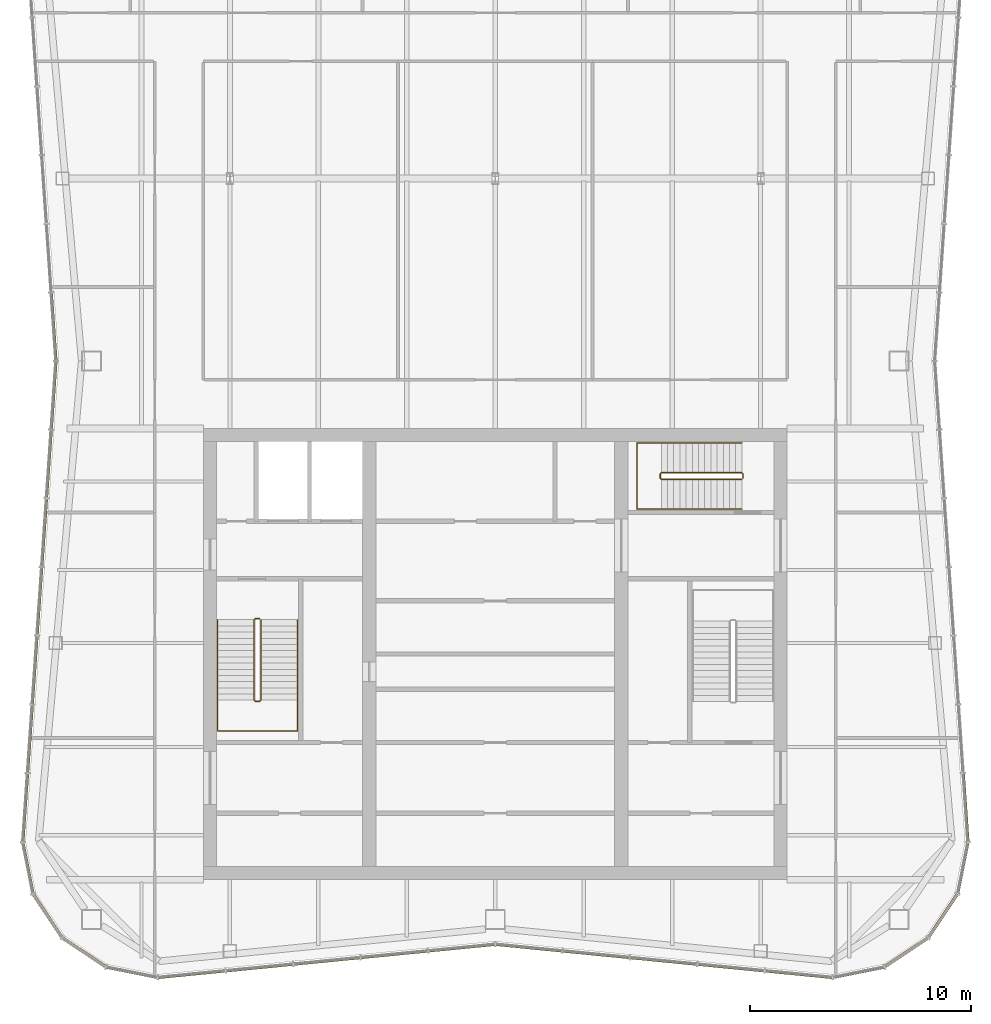
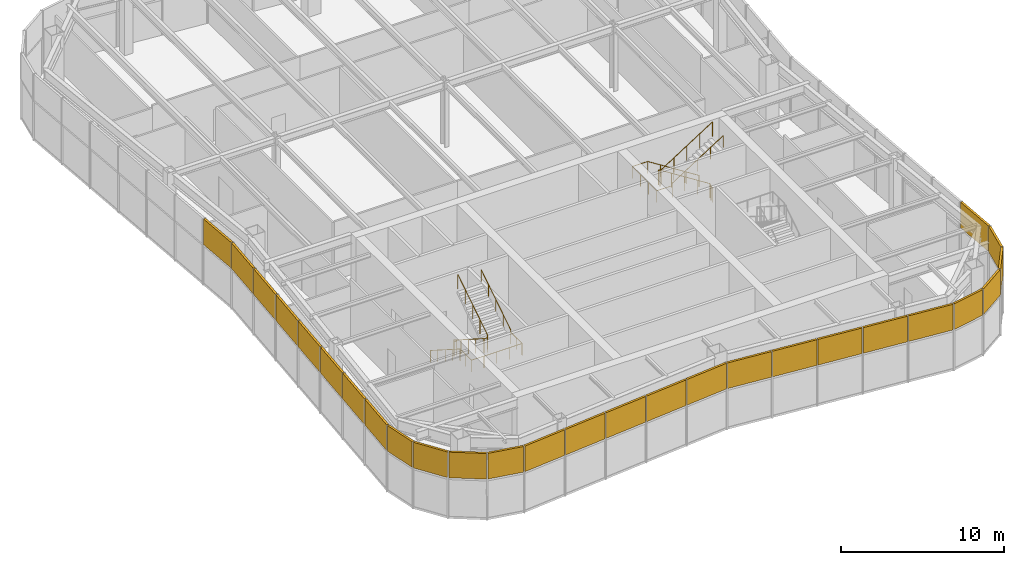
# One storey, part 12 of 13: 27 shading devices, 4 railings, 5 elements without a shape of their own.
"""IFC4 building model written with IfcOpenShell, lengths in metres."""

from ifc_helpers import new_model, si_unit, direction, frame, origin, origin_2d, place, context, subcontext, project, spatial, rectangle, circle, extrude, material, layer, layer_set, type_object, element, aggregate, save


model = new_model("IFC4")

# Units and contexts
model_context = context("Model", 3, precision=1e-05, world=origin(), true_north=direction((0.0, 1.0)))
body_context = subcontext(model_context, "Body", "Model", "MODEL_VIEW")
ifc_project = project(units=[si_unit("LENGTHUNIT", "METRE"), si_unit("AREAUNIT", "SQUARE_METRE"), si_unit("VOLUMEUNIT", "CUBIC_METRE"), si_unit("PLANEANGLEUNIT", "RADIAN"), si_unit("MASSUNIT", "GRAM", prefix="KILO")], contexts=[model_context])

# Site, building, storey
site_placement = place(None, origin())
site = spatial("IfcSite", under=ifc_project, at=site_placement, CompositionType="ELEMENT")
building_placement = place(site_placement, origin())
building = spatial("IfcBuilding", under=site, at=building_placement, Name="Verdant Reach Tower", CompositionType="ELEMENT")
storey_placement = place(building_placement, frame((0.0, 0.0, 354.5)))
storey = spatial("IfcBuildingStorey", under=building, at=storey_placement, Name="L80 Plant", CompositionType="ELEMENT", Elevation=354.5)

# Railings
ifc_material_1 = material(Name="Stainless steel", Category="steel")
railing_type_1 = type_object("IfcRailingType", Name="CO-GUARD", PredefinedType="GUARDRAIL", material=ifc_material_1)
railing_1_placement = place(storey_placement, frame((-10.64990234375, 29.60009765625, 0.0)))
element("IfcRailing", 1, at=railing_1_placement, inside=storey, type_object=railing_type_1, Name="L80 Plant ST-1 stair guard 1", PredefinedType="GUARDRAIL", context=body_context, shape_type="SweptSolid", body=[
    extrude(circle(Radius=0.02392578125, at=origin_2d()), frame((0.0, 0.0, 1.076171875), z_axis=(-1.0, 0.0, 0.0), x_axis=(0.0, -1.0, 0.0)), (0.0, 0.0, 1.0), 0.2001953125),
    extrude(circle(Radius=0.02392578125, at=origin_2d()), frame((-0.2001953125, 0.0, 1.076171875), z_axis=(-0.25949872427, -0.26077077684, 0.929870428634), x_axis=(0.708833529934, -0.705375805398, 0.0)), (0.0, 0.0, 1.0), 0.19189453125),
    extrude(circle(Radius=0.02392578125, at=origin_2d()), frame((-0.25, -0.050048828125, 1.25439453125), z_axis=(0.0, -0.843127859045, 0.537713132908), x_axis=(1.0, 0.0, 0.0)), (0.0, 0.0, 1.0), 4.3173828125),
    extrude(circle(Radius=0.02392578125, at=origin_2d()), frame((-0.25, -3.690185546875, 3.576171875), z_axis=(0.707106781187, -0.707106781187, 0.0), x_axis=(0.707106781187, 0.707106781187, 0.0)), (0.0, 0.0, 1.0), 0.0703125),
    extrude(circle(Radius=0.02392578125, at=origin_2d()), frame((-0.2001953125, -3.739990234375, 3.576171875), z_axis=(1.0, 0.0, 0.0), x_axis=(0.0, 1.0, 0.0)), (0.0, 0.0, 1.0), 0.2001953125),
    extrude(circle(Radius=0.02392578125, at=origin_2d()), frame((0.0, -3.739990234375, 3.576171875), z_axis=(0.259584636361, 0.259584636361, 0.930178280294), x_axis=(-0.707106781187, 0.707106781187, 0.0)), (0.0, 0.0, 1.0), 0.19189453125),
    extrude(circle(Radius=0.02392578125, at=origin_2d()), frame((0.0498046875, -3.690185546875, 3.75439453125), z_axis=(0.0, 0.843127859045, 0.537713132908), x_axis=(-1.0, 0.0, 0.0)), (0.0, 0.0, 1.0), 4.3173828125),
    extrude(circle(Radius=0.02099609375, at=origin_2d()), origin(), (0.0, 0.0, 1.0), 1.052001953125),
    extrude(circle(Radius=0.02099609375, at=origin_2d()), frame((-0.2001953125, 0.0, 0.0)), (0.0, 0.0, 1.0), 1.052001953125),
    extrude(circle(Radius=0.02099609375, at=origin_2d()), frame((-0.25, -0.050048828125, 0.178466796875)), (0.0, 0.0, 1.0), 1.052001953125),
    extrude(circle(Radius=0.02099609375, at=origin_2d()), frame((-0.25, -0.9599609375, 0.7587890625)), (0.0, 0.0, 1.0), 1.052001953125),
    extrude(circle(Radius=0.02099609375, at=origin_2d()), frame((-0.25, -1.8701171875, 1.33935546875)), (0.0, 0.0, 1.0), 1.052001953125),
    extrude(circle(Radius=0.02099609375, at=origin_2d()), frame((-0.25, -2.7802734375, 1.919677734375)), (0.0, 0.0, 1.0), 1.052001953125),
    extrude(circle(Radius=0.02099609375, at=origin_2d()), frame((-0.25, -3.690185546875, 2.5)), (0.0, 0.0, 1.0), 1.052001953125),
    extrude(circle(Radius=0.02099609375, at=origin_2d()), frame((-0.2001953125, -3.739990234375, 2.5)), (0.0, 0.0, 1.0), 1.052001953125),
    extrude(circle(Radius=0.02099609375, at=origin_2d()), frame((0.0, -3.739990234375, 2.5)), (0.0, 0.0, 1.0), 1.052001953125),
    extrude(circle(Radius=0.02099609375, at=origin_2d()), frame((0.0498046875, -3.690185546875, 2.678466796875)), (0.0, 0.0, 1.0), 1.052001953125),
    extrude(circle(Radius=0.02099609375, at=origin_2d()), frame((0.0498046875, -2.7802734375, 3.2587890625)), (0.0, 0.0, 1.0), 1.052001953125),
    extrude(circle(Radius=0.02099609375, at=origin_2d()), frame((0.0498046875, -1.8701171875, 3.83935546875)), (0.0, 0.0, 1.0), 1.052001953125),
    extrude(circle(Radius=0.02099609375, at=origin_2d()), frame((0.0498046875, -0.9599609375, 4.419677734375)), (0.0, 0.0, 1.0), 1.052001953125),
    extrude(circle(Radius=0.02099609375, at=origin_2d()), frame((0.0498046875, -0.050048828125, 5.0)), (0.0, 0.0, 1.0), 1.052001953125),
])
railing_2_placement = place(storey_placement, frame((11.199951171875, 35.949951171875, 0.0)))
element("IfcRailing", 2, at=railing_2_placement, inside=storey, type_object=railing_type_1, Name="L80 Plant ST-3 stair guard 1", PredefinedType="GUARDRAIL", context=body_context, shape_type="SweptSolid", body=[
    extrude(circle(Radius=0.02392578125, at=origin_2d()), frame((0.0, 0.0, 1.076171875), z_axis=(0.0, 1.0, 0.0), x_axis=(-1.0, 0.0, 0.0)), (0.0, 0.0, 1.0), 0.199951171875),
    extrude(circle(Radius=0.02392578125, at=origin_2d()), frame((0.0, 0.199951171875, 1.076171875), z_axis=(-0.260684529273, 0.260684529273, 0.929562882432), x_axis=(-0.707106781187, -0.707106781187, 0.0)), (0.0, 0.0, 1.0), 0.19189453125),
    extrude(circle(Radius=0.02392578125, at=origin_2d()), frame((-0.050048828125, 0.25, 1.25439453125), z_axis=(-0.843111507901, 0.0, 0.53773877045), x_axis=(0.0, -1.0, 0.0)), (0.0, 0.0, 1.0), 4.317138671875),
    extrude(circle(Radius=0.02392578125, at=origin_2d()), frame((-3.68994140625, 0.25, 3.576171875), z_axis=(-0.707106781187, -0.707106781187, 0.0), x_axis=(0.707106781187, -0.707106781187, 0.0)), (0.0, 0.0, 1.0), 0.07080078125),
    extrude(circle(Radius=0.02392578125, at=origin_2d()), frame((-3.739990234375, 0.199951171875, 3.576171875), z_axis=(0.0, -1.0, 0.0), x_axis=(1.0, 0.0, 0.0)), (0.0, 0.0, 1.0), 0.199951171875),
    extrude(circle(Radius=0.02392578125, at=origin_2d()), frame((-3.739990234375, 0.0, 3.576171875), z_axis=(0.260684529273, -0.260684529273, 0.929562882432), x_axis=(0.707106781187, 0.707106781187, 0.0)), (0.0, 0.0, 1.0), 0.19189453125),
    extrude(circle(Radius=0.02392578125, at=origin_2d()), frame((-3.68994140625, -0.050048828125, 3.75439453125), z_axis=(0.843111507901, 0.0, 0.53773877045), x_axis=(0.0, 1.0, 0.0)), (0.0, 0.0, 1.0), 4.317138671875),
    extrude(circle(Radius=0.02099609375, at=origin_2d()), origin(), (0.0, 0.0, 1.0), 1.052001953125),
    extrude(circle(Radius=0.02099609375, at=origin_2d()), frame((0.0, 0.199951171875, 0.0)), (0.0, 0.0, 1.0), 1.052001953125),
    extrude(circle(Radius=0.02099609375, at=origin_2d()), frame((-0.050048828125, 0.25, 0.178466796875)), (0.0, 0.0, 1.0), 1.052001953125),
    extrude(circle(Radius=0.02099609375, at=origin_2d()), frame((-0.9599609375, 0.25, 0.7587890625)), (0.0, 0.0, 1.0), 1.052001953125),
    extrude(circle(Radius=0.02099609375, at=origin_2d()), frame((-1.8701171875, 0.25, 1.33935546875)), (0.0, 0.0, 1.0), 1.052001953125),
    extrude(circle(Radius=0.02099609375, at=origin_2d()), frame((-2.780029296875, 0.25, 1.919677734375)), (0.0, 0.0, 1.0), 1.052001953125),
    extrude(circle(Radius=0.02099609375, at=origin_2d()), frame((-3.68994140625, 0.25, 2.5)), (0.0, 0.0, 1.0), 1.052001953125),
    extrude(circle(Radius=0.02099609375, at=origin_2d()), frame((-3.739990234375, 0.199951171875, 2.5)), (0.0, 0.0, 1.0), 1.052001953125),
    extrude(circle(Radius=0.02099609375, at=origin_2d()), frame((-3.739990234375, 0.0, 2.5)), (0.0, 0.0, 1.0), 1.052001953125),
    extrude(circle(Radius=0.02099609375, at=origin_2d()), frame((-3.68994140625, -0.050048828125, 2.678466796875)), (0.0, 0.0, 1.0), 1.052001953125),
    extrude(circle(Radius=0.02099609375, at=origin_2d()), frame((-2.780029296875, -0.050048828125, 3.2587890625)), (0.0, 0.0, 1.0), 1.052001953125),
    extrude(circle(Radius=0.02099609375, at=origin_2d()), frame((-1.8701171875, -0.050048828125, 3.83935546875)), (0.0, 0.0, 1.0), 1.052001953125),
    extrude(circle(Radius=0.02099609375, at=origin_2d()), frame((-0.9599609375, -0.050048828125, 4.419677734375)), (0.0, 0.0, 1.0), 1.052001953125),
    extrude(circle(Radius=0.02099609375, at=origin_2d()), frame((-0.050048828125, -0.050048828125, 5.0)), (0.0, 0.0, 1.0), 1.052001953125),
])
railing_type_2 = type_object("IfcRailingType", Name="CO-HANDRAIL", PredefinedType="HANDRAIL", material=ifc_material_1)
railing_3_placement = place(storey_placement, frame((-12.550048828125, 29.550048828125, 0.178466796875)))
element("IfcRailing", 3, at=railing_3_placement, inside=storey, type_object=railing_type_2, Name="L80 Plant ST-1 stair handrail 1", PredefinedType="HANDRAIL", context=body_context, shape_type="SweptSolid", body=[
    extrude(circle(Radius=0.02392578125, at=origin_2d()), frame((0.0, 0.0, 0.8759765625), z_axis=(0.0, -0.843127859045, 0.537713132908), x_axis=(1.0, 0.0, 0.0)), (0.0, 0.0, 1.0), 4.3173828125),
    extrude(circle(Radius=0.02392578125, at=origin_2d()), frame((0.0, -3.64013671875, 3.197265625), z_axis=(0.0, -1.0, 0.0), x_axis=(1.0, 0.0, 0.0)), (0.0, 0.0, 1.0), 1.39990234375),
    extrude(circle(Radius=0.02392578125, at=origin_2d()), frame((0.0, -5.0400390625, 3.197265625), z_axis=(1.0, 0.0, 0.0), x_axis=(0.0, 1.0, 0.0)), (0.0, 0.0, 1.0), 3.60009765625),
    extrude(circle(Radius=0.02392578125, at=origin_2d()), frame((3.60009765625, -5.0400390625, 3.197265625), z_axis=(0.0, 1.0, 0.0), x_axis=(-1.0, 0.0, 0.0)), (0.0, 0.0, 1.0), 1.39990234375),
    extrude(circle(Radius=0.02392578125, at=origin_2d()), frame((3.60009765625, -3.64013671875, 3.197265625), z_axis=(0.0, 0.0, 1.0), x_axis=(1.0, 0.0, 0.0)), (0.0, 0.0, 1.0), 0.178466796875),
    extrude(circle(Radius=0.02392578125, at=origin_2d()), frame((3.60009765625, -3.64013671875, 3.3759765625), z_axis=(0.0, 0.843127859045, 0.537713132908), x_axis=(-1.0, 0.0, 0.0)), (0.0, 0.0, 1.0), 4.3173828125),
    extrude(circle(Radius=0.02099609375, at=origin_2d()), origin(), (0.0, 0.0, 1.0), 0.851806640625),
    extrude(circle(Radius=0.02099609375, at=origin_2d()), frame((0.0, -0.91015625, 0.580322265625)), (0.0, 0.0, 1.0), 0.851806640625),
    extrude(circle(Radius=0.02099609375, at=origin_2d()), frame((0.0, -1.820068359375, 1.16064453125)), (0.0, 0.0, 1.0), 0.851806640625),
    extrude(circle(Radius=0.02099609375, at=origin_2d()), frame((0.0, -2.72998046875, 1.7412109375)), (0.0, 0.0, 1.0), 0.851806640625),
    extrude(circle(Radius=0.02099609375, at=origin_2d()), frame((0.0, -3.64013671875, 2.321533203125)), (0.0, 0.0, 1.0), 0.851806640625),
    extrude(circle(Radius=0.02099609375, at=origin_2d()), frame((0.0, -4.340087890625, 2.321533203125)), (0.0, 0.0, 1.0), 0.851806640625),
    extrude(circle(Radius=0.02099609375, at=origin_2d()), frame((0.0, -5.0400390625, 2.321533203125)), (0.0, 0.0, 1.0), 0.851806640625),
    extrude(circle(Radius=0.02099609375, at=origin_2d()), frame((0.89990234375, -5.0400390625, 2.321533203125)), (0.0, 0.0, 1.0), 0.851806640625),
    extrude(circle(Radius=0.02099609375, at=origin_2d()), frame((1.800048828125, -5.0400390625, 2.321533203125)), (0.0, 0.0, 1.0), 0.851806640625),
    extrude(circle(Radius=0.02099609375, at=origin_2d()), frame((2.7001953125, -5.0400390625, 2.321533203125)), (0.0, 0.0, 1.0), 0.851806640625),
    extrude(circle(Radius=0.02099609375, at=origin_2d()), frame((3.60009765625, -5.0400390625, 2.321533203125)), (0.0, 0.0, 1.0), 0.851806640625),
    extrude(circle(Radius=0.02099609375, at=origin_2d()), frame((3.60009765625, -4.340087890625, 2.321533203125)), (0.0, 0.0, 1.0), 0.851806640625),
    extrude(circle(Radius=0.02099609375, at=origin_2d()), frame((3.60009765625, -3.64013671875, 2.321533203125)), (0.0, 0.0, 1.0), 0.851806640625),
    extrude(circle(Radius=0.02099609375, at=origin_2d()), frame((3.60009765625, -3.64013671875, 2.5)), (0.0, 0.0, 1.0), 0.851806640625),
    extrude(circle(Radius=0.02099609375, at=origin_2d()), frame((3.60009765625, -2.72998046875, 3.080322265625)), (0.0, 0.0, 1.0), 0.851806640625),
    extrude(circle(Radius=0.02099609375, at=origin_2d()), frame((3.60009765625, -1.820068359375, 3.66064453125)), (0.0, 0.0, 1.0), 0.851806640625),
    extrude(circle(Radius=0.02099609375, at=origin_2d()), frame((3.60009765625, -0.91015625, 4.2412109375)), (0.0, 0.0, 1.0), 0.851806640625),
    extrude(circle(Radius=0.02099609375, at=origin_2d()), frame((3.60009765625, 0.0, 4.821533203125)), (0.0, 0.0, 1.0), 0.851806640625),
])
railing_4_placement = place(storey_placement, frame((11.14990234375, 37.550048828125, 0.178466796875)))
element("IfcRailing", 4, at=railing_4_placement, inside=storey, type_object=railing_type_2, Name="L80 Plant ST-3 stair handrail 1", PredefinedType="HANDRAIL", context=body_context, shape_type="SweptSolid", body=[
    extrude(circle(Radius=0.02392578125, at=origin_2d()), frame((0.0, 0.0, 0.8759765625), z_axis=(-0.843111507901, 0.0, 0.53773877045), x_axis=(0.0, -1.0, 0.0)), (0.0, 0.0, 1.0), 4.317138671875),
    extrude(circle(Radius=0.02392578125, at=origin_2d()), frame((-3.639892578125, 0.0, 3.197265625), z_axis=(-1.0, 0.0, 0.0), x_axis=(0.0, -1.0, 0.0)), (0.0, 0.0, 1.0), 1.10009765625),
    extrude(circle(Radius=0.02392578125, at=origin_2d()), frame((-4.739990234375, 0.0, 3.197265625), z_axis=(0.0, -1.0, 0.0), x_axis=(1.0, 0.0, 0.0)), (0.0, 0.0, 1.0), 3.0),
    extrude(circle(Radius=0.02392578125, at=origin_2d()), frame((-4.739990234375, -3.0, 3.197265625), z_axis=(1.0, 0.0, 0.0), x_axis=(0.0, 1.0, 0.0)), (0.0, 0.0, 1.0), 1.10009765625),
    extrude(circle(Radius=0.02392578125, at=origin_2d()), frame((-3.639892578125, -3.0, 3.197265625), z_axis=(0.0, 0.0, 1.0), x_axis=(1.0, 0.0, 0.0)), (0.0, 0.0, 1.0), 0.178466796875),
    extrude(circle(Radius=0.02392578125, at=origin_2d()), frame((-3.639892578125, -3.0, 3.3759765625), z_axis=(0.843111507901, 0.0, 0.53773877045), x_axis=(0.0, 1.0, 0.0)), (0.0, 0.0, 1.0), 4.317138671875),
    extrude(circle(Radius=0.02099609375, at=origin_2d()), origin(), (0.0, 0.0, 1.0), 0.851806640625),
    extrude(circle(Radius=0.02099609375, at=origin_2d()), frame((-0.909912109375, 0.0, 0.580322265625)), (0.0, 0.0, 1.0), 0.851806640625),
    extrude(circle(Radius=0.02099609375, at=origin_2d()), frame((-1.81982421875, 0.0, 1.16064453125)), (0.0, 0.0, 1.0), 0.851806640625),
    extrude(circle(Radius=0.02099609375, at=origin_2d()), frame((-2.72998046875, 0.0, 1.7412109375)), (0.0, 0.0, 1.0), 0.851806640625),
    extrude(circle(Radius=0.02099609375, at=origin_2d()), frame((-3.639892578125, 0.0, 2.321533203125)), (0.0, 0.0, 1.0), 0.851806640625),
    extrude(circle(Radius=0.02099609375, at=origin_2d()), frame((-4.739990234375, 0.0, 2.321533203125)), (0.0, 0.0, 1.0), 0.851806640625),
    extrude(circle(Radius=0.02099609375, at=origin_2d()), frame((-4.739990234375, -1.0, 2.321533203125)), (0.0, 0.0, 1.0), 0.851806640625),
    extrude(circle(Radius=0.02099609375, at=origin_2d()), frame((-4.739990234375, -2.0, 2.321533203125)), (0.0, 0.0, 1.0), 0.851806640625),
    extrude(circle(Radius=0.02099609375, at=origin_2d()), frame((-4.739990234375, -3.0, 2.321533203125)), (0.0, 0.0, 1.0), 0.851806640625),
    extrude(circle(Radius=0.02099609375, at=origin_2d()), frame((-3.639892578125, -3.0, 2.321533203125)), (0.0, 0.0, 1.0), 0.851806640625),
    extrude(circle(Radius=0.02099609375, at=origin_2d()), frame((-3.639892578125, -3.0, 2.5)), (0.0, 0.0, 1.0), 0.851806640625),
    extrude(circle(Radius=0.02099609375, at=origin_2d()), frame((-2.72998046875, -3.0, 3.080322265625)), (0.0, 0.0, 1.0), 0.851806640625),
    extrude(circle(Radius=0.02099609375, at=origin_2d()), frame((-1.81982421875, -3.0, 3.66064453125)), (0.0, 0.0, 1.0), 0.851806640625),
    extrude(circle(Radius=0.02099609375, at=origin_2d()), frame((-0.909912109375, -3.0, 4.2412109375)), (0.0, 0.0, 1.0), 0.851806640625),
    extrude(circle(Radius=0.02099609375, at=origin_2d()), frame((0.0, -3.0, 4.821533203125)), (0.0, 0.0, 1.0), 0.851806640625),
])

# Curtain wall, shading devices
ifc_material_2 = material(Name="Anodised aluminium", Category="aluminium")
curtain_wall_type = type_object("IfcCurtainWallType", Name="EN-CW SYSTEM PLANT", PredefinedType="NOTDEFINED", material=ifc_material_2)
curtain_wall_1_placement = place(storey_placement, origin())
curtain_wall_1 = element("IfcCurtainWall", 5, at=curtain_wall_1_placement, inside=storey, type_object=curtain_wall_type, Name="Curtain wall south-east corner, L80", PredefinedType="NOTDEFINED")
ifc_material_3 = material(Name="Bronze anodised aluminium louvre", Category="aluminium")
ifc_layer = layer(ifc_material_3, 0.14990234375)
ifc_layer_set = layer_set([ifc_layer], Name="EN-LOUVRE")
shading_device_type = type_object("IfcShadingDeviceType", Name="EN-LOUVRE", PredefinedType="USERDEFINED", material=ifc_layer_set)
shading_device_1_placement = place(storey_placement, frame((16.423828125, 13.614013671875, 2.72509765625), z_axis=(0.0, 0.0, 1.0), x_axis=(0.980705120874, 0.195492879387, 0.0)))
shading_device_1 = element("IfcShadingDevice", 6, at=shading_device_1_placement, type_object=shading_device_type, Name="Louvre bank south-east corner 1, L80", ObjectType="LOUVRE", PredefinedType="USERDEFINED", context=body_context, shape_type="SweptSolid", body=[
    extrude(rectangle(XDim=2.3056640625, YDim=0.14990234375, at=origin_2d()), origin(), (0.0, 0.0, 1.0), 1.925048828125),
])
shading_device_2_placement = place(storey_placement, frame((18.584228515625, 14.510009765625, 2.72509765625), z_axis=(0.0, 0.0, 1.0), x_axis=(0.83145208321, 0.555596466265, 0.0)))
shading_device_2 = element("IfcShadingDevice", 7, at=shading_device_2_placement, type_object=shading_device_type, Name="Louvre bank south-east corner 2, L80", ObjectType="LOUVRE", PredefinedType="USERDEFINED", context=body_context, shape_type="SweptSolid", body=[
    extrude(rectangle(XDim=2.3115234375, YDim=0.14990234375, at=origin_2d()), origin(), (0.0, 0.0, 1.0), 1.925048828125),
])
shading_device_3_placement = place(storey_placement, frame((20.239990234375, 16.165771484375, 2.72509765625), z_axis=(0.0, 0.0, 1.0), x_axis=(0.555596466265, 0.83145208321, 0.0)))
shading_device_3 = element("IfcShadingDevice", 8, at=shading_device_3_placement, type_object=shading_device_type, Name="Louvre bank south-east corner 3, L80", ObjectType="LOUVRE", PredefinedType="USERDEFINED", context=body_context, shape_type="SweptSolid", body=[
    extrude(rectangle(XDim=2.3115234375, YDim=0.14990234375, at=origin_2d()), origin(), (0.0, 0.0, 1.0), 1.925048828125),
])
shading_device_4_placement = place(storey_placement, frame((21.135986328125, 18.325439453125, 2.72509765625), z_axis=(0.0, 0.0, 1.0), x_axis=(0.195592962334, 0.980685165119, 0.0)))
shading_device_4 = element("IfcShadingDevice", 9, at=shading_device_4_placement, type_object=shading_device_type, Name="Louvre bank south-east corner 4, L80", ObjectType="LOUVRE", PredefinedType="USERDEFINED", context=body_context, shape_type="SweptSolid", body=[
    extrude(rectangle(XDim=2.303955078125, YDim=0.14990234375, at=origin_2d()), origin(), (0.0, 0.0, 1.0), 1.925048828125),
])
aggregate(curtain_wall_1, [shading_device_1, shading_device_2, shading_device_3, shading_device_4])

# Curtain wall, shading device
curtain_wall_2_placement = place(storey_placement, origin())
curtain_wall_2 = element("IfcCurtainWall", 10, at=curtain_wall_2_placement, inside=storey, type_object=curtain_wall_type, Name="Curtain wall east, L80", PredefinedType="NOTDEFINED")
shading_device_5_placement = place(storey_placement, frame((21.261474609375, 21.053955078125, 2.72509765625), z_axis=(0.0, 0.0, 1.0), x_axis=(-0.068469163133, 0.997653233193, 0.0)))
shading_device_5 = element("IfcShadingDevice", 11, at=shading_device_5_placement, type_object=shading_device_type, Name="Louvre bank east face part 1 1, L80", ObjectType="LOUVRE", PredefinedType="USERDEFINED", context=body_context, shape_type="SweptSolid", body=[
    extrude(rectangle(XDim=3.05419921875, YDim=0.14990234375, at=origin_2d()), origin(), (0.0, 0.0, 1.0), 1.925048828125),
])
aggregate(curtain_wall_2, [shading_device_5])

# Curtain wall, shading devices
curtain_wall_3_placement = place(storey_placement, origin())
curtain_wall_3 = element("IfcCurtainWall", 12, at=curtain_wall_3_placement, inside=storey, type_object=curtain_wall_type, Name="Curtain wall west, L80", PredefinedType="NOTDEFINED")
shading_device_6_placement = place(storey_placement, frame((-19.97607421875, 42.799560546875, 2.72509765625), z_axis=(0.0, 0.0, 1.0), x_axis=(0.068892655483, -0.997624078509, 0.0)))
shading_device_6 = element("IfcShadingDevice", 13, at=shading_device_6_placement, type_object=shading_device_type, Name="Louvre bank west face part 1 7, L80", ObjectType="LOUVRE", PredefinedType="USERDEFINED", context=body_context, shape_type="SweptSolid", body=[
    extrude(rectangle(XDim=3.0302734375, YDim=0.14990234375, at=origin_2d()), origin(), (0.0, 0.0, 1.0), 1.925048828125),
])
shading_device_7_placement = place(storey_placement, frame((-19.97607421875, 39.700439453125, 2.72509765625), z_axis=(0.0, 0.0, 1.0), x_axis=(-0.068892655483, -0.997624078509, 0.0)))
shading_device_7 = element("IfcShadingDevice", 14, at=shading_device_7_placement, type_object=shading_device_type, Name="Louvre bank west face part 2 1, L80", ObjectType="LOUVRE", PredefinedType="USERDEFINED", context=body_context, shape_type="SweptSolid", body=[
    extrude(rectangle(XDim=3.0302734375, YDim=0.14990234375, at=origin_2d()), origin(), (0.0, 0.0, 1.0), 1.925048828125),
])
shading_device_8_placement = place(storey_placement, frame((-20.190185546875, 36.597412109375, 2.72509765625), z_axis=(0.0, 0.0, 1.0), x_axis=(-0.068802091615, -0.997630328423, 0.0)))
shading_device_8 = element("IfcShadingDevice", 15, at=shading_device_8_placement, type_object=shading_device_type, Name="Louvre bank west face part 2 2, L80", ObjectType="LOUVRE", PredefinedType="USERDEFINED", context=body_context, shape_type="SweptSolid", body=[
    extrude(rectangle(XDim=3.03857421875, YDim=0.14990234375, at=origin_2d()), origin(), (0.0, 0.0, 1.0), 1.925048828125),
])
shading_device_9_placement = place(storey_placement, frame((-20.404541015625, 33.490234375, 2.72509765625), z_axis=(0.0, 0.0, 1.0), x_axis=(-0.068802091615, -0.997630328423, 0.0)))
shading_device_9 = element("IfcShadingDevice", 16, at=shading_device_9_placement, type_object=shading_device_type, Name="Louvre bank west face part 2 3, L80", ObjectType="LOUVRE", PredefinedType="USERDEFINED", context=body_context, shape_type="SweptSolid", body=[
    extrude(rectangle(XDim=3.03857421875, YDim=0.14990234375, at=origin_2d()), origin(), (0.0, 0.0, 1.0), 1.925048828125),
])
shading_device_10_placement = place(storey_placement, frame((-20.61865234375, 30.38330078125, 2.72509765625), z_axis=(0.0, 0.0, 1.0), x_axis=(-0.068802091615, -0.997630328423, 0.0)))
shading_device_10 = element("IfcShadingDevice", 17, at=shading_device_10_placement, type_object=shading_device_type, Name="Louvre bank west face part 2 4, L80", ObjectType="LOUVRE", PredefinedType="USERDEFINED", context=body_context, shape_type="SweptSolid", body=[
    extrude(rectangle(XDim=3.03857421875, YDim=0.14990234375, at=origin_2d()), origin(), (0.0, 0.0, 1.0), 1.925048828125),
])
shading_device_11_placement = place(storey_placement, frame((-20.8330078125, 27.276123046875, 2.72509765625), z_axis=(0.0, 0.0, 1.0), x_axis=(-0.068802091615, -0.997630328423, 0.0)))
shading_device_11 = element("IfcShadingDevice", 18, at=shading_device_11_placement, type_object=shading_device_type, Name="Louvre bank west face part 2 5, L80", ObjectType="LOUVRE", PredefinedType="USERDEFINED", context=body_context, shape_type="SweptSolid", body=[
    extrude(rectangle(XDim=3.03857421875, YDim=0.14990234375, at=origin_2d()), origin(), (0.0, 0.0, 1.0), 1.925048828125),
])
shading_device_12_placement = place(storey_placement, frame((-21.04736328125, 24.1689453125, 2.72509765625), z_axis=(0.0, 0.0, 1.0), x_axis=(-0.068802091615, -0.997630328423, 0.0)))
shading_device_12 = element("IfcShadingDevice", 19, at=shading_device_12_placement, type_object=shading_device_type, Name="Louvre bank west face part 2 6, L80", ObjectType="LOUVRE", PredefinedType="USERDEFINED", context=body_context, shape_type="SweptSolid", body=[
    extrude(rectangle(XDim=3.03857421875, YDim=0.14990234375, at=origin_2d()), origin(), (0.0, 0.0, 1.0), 1.925048828125),
])
shading_device_13_placement = place(storey_placement, frame((-21.261474609375, 21.053955078125, 2.72509765625), z_axis=(0.0, 0.0, 1.0), x_axis=(-0.068469163133, -0.997653233193, 0.0)))
shading_device_13 = element("IfcShadingDevice", 20, at=shading_device_13_placement, type_object=shading_device_type, Name="Louvre bank west face part 2 7, L80", ObjectType="LOUVRE", PredefinedType="USERDEFINED", context=body_context, shape_type="SweptSolid", body=[
    extrude(rectangle(XDim=3.05419921875, YDim=0.14990234375, at=origin_2d()), origin(), (0.0, 0.0, 1.0), 1.925048828125),
])
aggregate(curtain_wall_3, [shading_device_6, shading_device_7, shading_device_8, shading_device_9, shading_device_10, shading_device_11, shading_device_12, shading_device_13])

curtain_wall_4_placement = place(storey_placement, origin())
curtain_wall_4 = element("IfcCurtainWall", 21, at=curtain_wall_4_placement, inside=storey, type_object=curtain_wall_type, Name="Curtain wall south-west corner, L80", PredefinedType="NOTDEFINED")
shading_device_14_placement = place(storey_placement, frame((-21.135986328125, 18.325439453125, 2.72509765625), z_axis=(0.0, 0.0, 1.0), x_axis=(0.195592962334, -0.980685165119, 0.0)))
shading_device_14 = element("IfcShadingDevice", 22, at=shading_device_14_placement, type_object=shading_device_type, Name="Louvre bank south-west corner 1, L80", ObjectType="LOUVRE", PredefinedType="USERDEFINED", context=body_context, shape_type="SweptSolid", body=[
    extrude(rectangle(XDim=2.303955078125, YDim=0.14990234375, at=origin_2d()), origin(), (0.0, 0.0, 1.0), 1.925048828125),
])
shading_device_15_placement = place(storey_placement, frame((-20.239990234375, 16.165771484375, 2.72509765625), z_axis=(0.0, 0.0, 1.0), x_axis=(0.555596466265, -0.83145208321, 0.0)))
shading_device_15 = element("IfcShadingDevice", 23, at=shading_device_15_placement, type_object=shading_device_type, Name="Louvre bank south-west corner 2, L80", ObjectType="LOUVRE", PredefinedType="USERDEFINED", context=body_context, shape_type="SweptSolid", body=[
    extrude(rectangle(XDim=2.3115234375, YDim=0.14990234375, at=origin_2d()), origin(), (0.0, 0.0, 1.0), 1.925048828125),
])
shading_device_16_placement = place(storey_placement, frame((-18.584228515625, 14.510009765625, 2.72509765625), z_axis=(0.0, 0.0, 1.0), x_axis=(0.83145208321, -0.555596466265, 0.0)))
shading_device_16 = element("IfcShadingDevice", 24, at=shading_device_16_placement, type_object=shading_device_type, Name="Louvre bank south-west corner 3, L80", ObjectType="LOUVRE", PredefinedType="USERDEFINED", context=body_context, shape_type="SweptSolid", body=[
    extrude(rectangle(XDim=2.3115234375, YDim=0.14990234375, at=origin_2d()), origin(), (0.0, 0.0, 1.0), 1.925048828125),
])
shading_device_17_placement = place(storey_placement, frame((-16.423828125, 13.614013671875, 2.72509765625), z_axis=(0.0, 0.0, 1.0), x_axis=(0.980705120874, -0.195492879387, 0.0)))
shading_device_17 = element("IfcShadingDevice", 25, at=shading_device_17_placement, type_object=shading_device_type, Name="Louvre bank south-west corner 4, L80", ObjectType="LOUVRE", PredefinedType="USERDEFINED", context=body_context, shape_type="SweptSolid", body=[
    extrude(rectangle(XDim=2.3056640625, YDim=0.14990234375, at=origin_2d()), origin(), (0.0, 0.0, 1.0), 1.925048828125),
])
aggregate(curtain_wall_4, [shading_device_14, shading_device_15, shading_device_16, shading_device_17])

curtain_wall_5_placement = place(storey_placement, origin())
curtain_wall_5 = element("IfcCurtainWall", 26, at=curtain_wall_5_placement, inside=storey, type_object=curtain_wall_type, Name="Curtain wall south, L80", PredefinedType="NOTDEFINED")
shading_device_18_placement = place(storey_placement, frame((-13.72216796875, 13.53125, 2.72509765625), z_axis=(0.0, 0.0, 1.0), x_axis=(0.995238191716, 0.097472774402, 0.0)))
shading_device_18 = element("IfcShadingDevice", 27, at=shading_device_18_placement, type_object=shading_device_type, Name="Louvre bank south face part 1 1, L80", ObjectType="LOUVRE", PredefinedType="USERDEFINED", context=body_context, shape_type="SweptSolid", body=[
    extrude(rectangle(XDim=3.006103515625, YDim=0.14990234375, at=origin_2d()), origin(), (0.0, 0.0, 1.0), 1.925048828125),
])
shading_device_19_placement = place(storey_placement, frame((-10.663330078125, 13.83154296875, 2.72509765625), z_axis=(0.0, 0.0, 1.0), x_axis=(0.995197410875, 0.09788826992, 0.0)))
shading_device_19 = element("IfcShadingDevice", 28, at=shading_device_19_placement, type_object=shading_device_type, Name="Louvre bank south face part 1 2, L80", ObjectType="LOUVRE", PredefinedType="USERDEFINED", context=body_context, shape_type="SweptSolid", body=[
    extrude(rectangle(XDim=2.98876953125, YDim=0.14990234375, at=origin_2d()), origin(), (0.0, 0.0, 1.0), 1.925048828125),
])
shading_device_20_placement = place(storey_placement, frame((-7.61328125, 14.131591796875, 2.72509765625), z_axis=(0.0, 0.0, 1.0), x_axis=(0.995197410875, 0.09788826992, 0.0)))
shading_device_20 = element("IfcShadingDevice", 29, at=shading_device_20_placement, type_object=shading_device_type, Name="Louvre bank south face part 1 3, L80", ObjectType="LOUVRE", PredefinedType="USERDEFINED", context=body_context, shape_type="SweptSolid", body=[
    extrude(rectangle(XDim=2.98876953125, YDim=0.14990234375, at=origin_2d()), origin(), (0.0, 0.0, 1.0), 1.925048828125),
])
shading_device_21_placement = place(storey_placement, frame((-4.563232421875, 14.431640625, 2.72509765625), z_axis=(0.0, 0.0, 1.0), x_axis=(0.995197410875, 0.09788826992, 0.0)))
shading_device_21 = element("IfcShadingDevice", 30, at=shading_device_21_placement, type_object=shading_device_type, Name="Louvre bank south face part 1 4, L80", ObjectType="LOUVRE", PredefinedType="USERDEFINED", context=body_context, shape_type="SweptSolid", body=[
    extrude(rectangle(XDim=2.98876953125, YDim=0.14990234375, at=origin_2d()), origin(), (0.0, 0.0, 1.0), 1.925048828125),
])
shading_device_22_placement = place(storey_placement, frame((-1.519287109375, 14.731201171875, 2.72509765625), z_axis=(0.0, 0.0, 1.0), x_axis=(0.995179069607, 0.098074560493, 0.0)))
shading_device_22 = element("IfcShadingDevice", 31, at=shading_device_22_placement, type_object=shading_device_type, Name="Louvre bank south face part 1 5, L80", ObjectType="LOUVRE", PredefinedType="USERDEFINED", context=body_context, shape_type="SweptSolid", body=[
    extrude(rectangle(XDim=2.97705078125, YDim=0.14990234375, at=origin_2d()), origin(), (0.0, 0.0, 1.0), 1.925048828125),
])
shading_device_23_placement = place(storey_placement, frame((1.519287109375, 14.731201171875, 2.72509765625), z_axis=(0.0, 0.0, 1.0), x_axis=(0.995179069607, -0.098074560493, 0.0)))
shading_device_23 = element("IfcShadingDevice", 32, at=shading_device_23_placement, type_object=shading_device_type, Name="Louvre bank south face part 2 1, L80", ObjectType="LOUVRE", PredefinedType="USERDEFINED", context=body_context, shape_type="SweptSolid", body=[
    extrude(rectangle(XDim=2.97705078125, YDim=0.14990234375, at=origin_2d()), origin(), (0.0, 0.0, 1.0), 1.925048828125),
])
shading_device_24_placement = place(storey_placement, frame((4.563232421875, 14.431640625, 2.72509765625), z_axis=(0.0, 0.0, 1.0), x_axis=(0.995197410875, -0.09788826992, 0.0)))
shading_device_24 = element("IfcShadingDevice", 33, at=shading_device_24_placement, type_object=shading_device_type, Name="Louvre bank south face part 2 2, L80", ObjectType="LOUVRE", PredefinedType="USERDEFINED", context=body_context, shape_type="SweptSolid", body=[
    extrude(rectangle(XDim=2.98876953125, YDim=0.14990234375, at=origin_2d()), origin(), (0.0, 0.0, 1.0), 1.925048828125),
])
shading_device_25_placement = place(storey_placement, frame((7.61328125, 14.131591796875, 2.72509765625), z_axis=(0.0, 0.0, 1.0), x_axis=(0.995197410875, -0.09788826992, 0.0)))
shading_device_25 = element("IfcShadingDevice", 34, at=shading_device_25_placement, type_object=shading_device_type, Name="Louvre bank south face part 2 3, L80", ObjectType="LOUVRE", PredefinedType="USERDEFINED", context=body_context, shape_type="SweptSolid", body=[
    extrude(rectangle(XDim=2.98876953125, YDim=0.14990234375, at=origin_2d()), origin(), (0.0, 0.0, 1.0), 1.925048828125),
])
shading_device_26_placement = place(storey_placement, frame((10.663330078125, 13.83154296875, 2.72509765625), z_axis=(0.0, 0.0, 1.0), x_axis=(0.995197410875, -0.09788826992, 0.0)))
shading_device_26 = element("IfcShadingDevice", 35, at=shading_device_26_placement, type_object=shading_device_type, Name="Louvre bank south face part 2 4, L80", ObjectType="LOUVRE", PredefinedType="USERDEFINED", context=body_context, shape_type="SweptSolid", body=[
    extrude(rectangle(XDim=2.98876953125, YDim=0.14990234375, at=origin_2d()), origin(), (0.0, 0.0, 1.0), 1.925048828125),
])
shading_device_27_placement = place(storey_placement, frame((13.72216796875, 13.53125, 2.72509765625), z_axis=(0.0, 0.0, 1.0), x_axis=(0.995238191716, -0.097472774402, 0.0)))
shading_device_27 = element("IfcShadingDevice", 36, at=shading_device_27_placement, type_object=shading_device_type, Name="Louvre bank south face part 2 5, L80", ObjectType="LOUVRE", PredefinedType="USERDEFINED", context=body_context, shape_type="SweptSolid", body=[
    extrude(rectangle(XDim=3.006103515625, YDim=0.14990234375, at=origin_2d()), origin(), (0.0, 0.0, 1.0), 1.925048828125),
])
aggregate(curtain_wall_5, [shading_device_18, shading_device_19, shading_device_20, shading_device_21, shading_device_22, shading_device_23, shading_device_24, shading_device_25, shading_device_26, shading_device_27])

save(model, "model.ifc")
